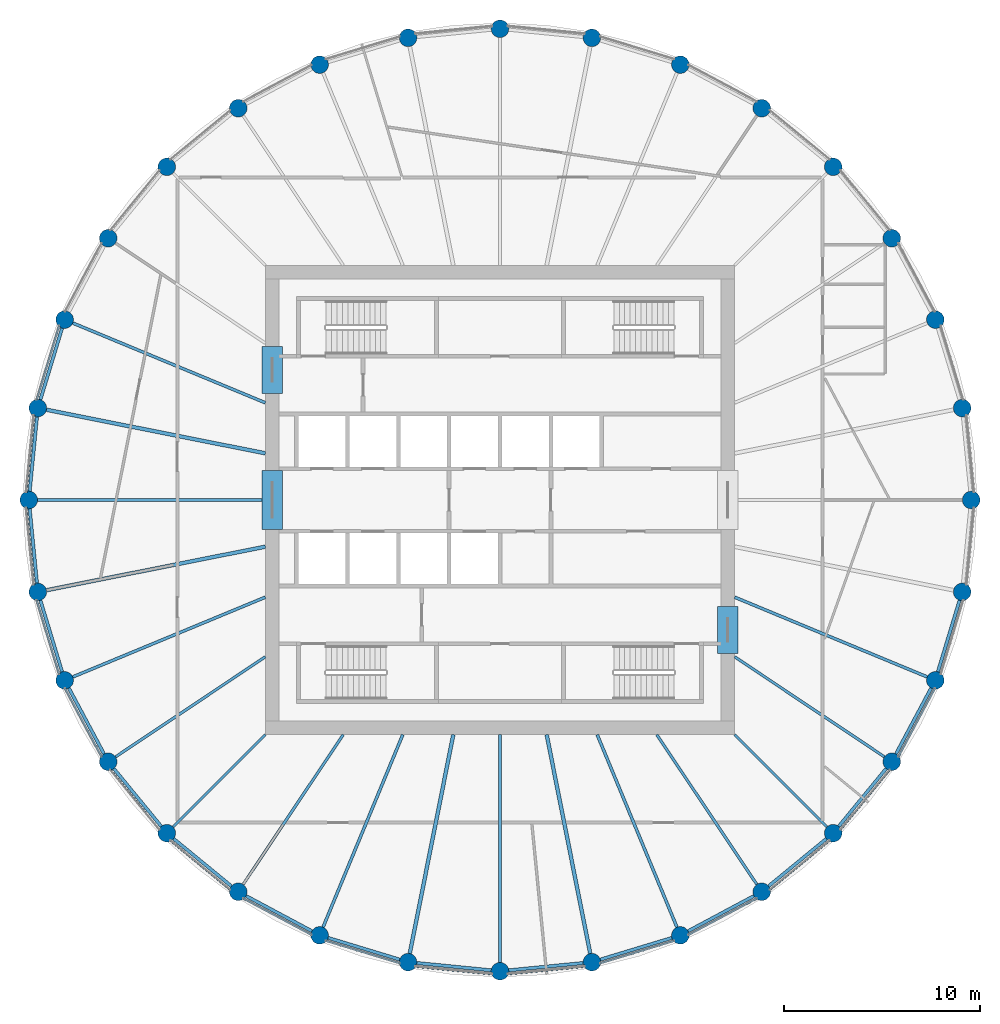
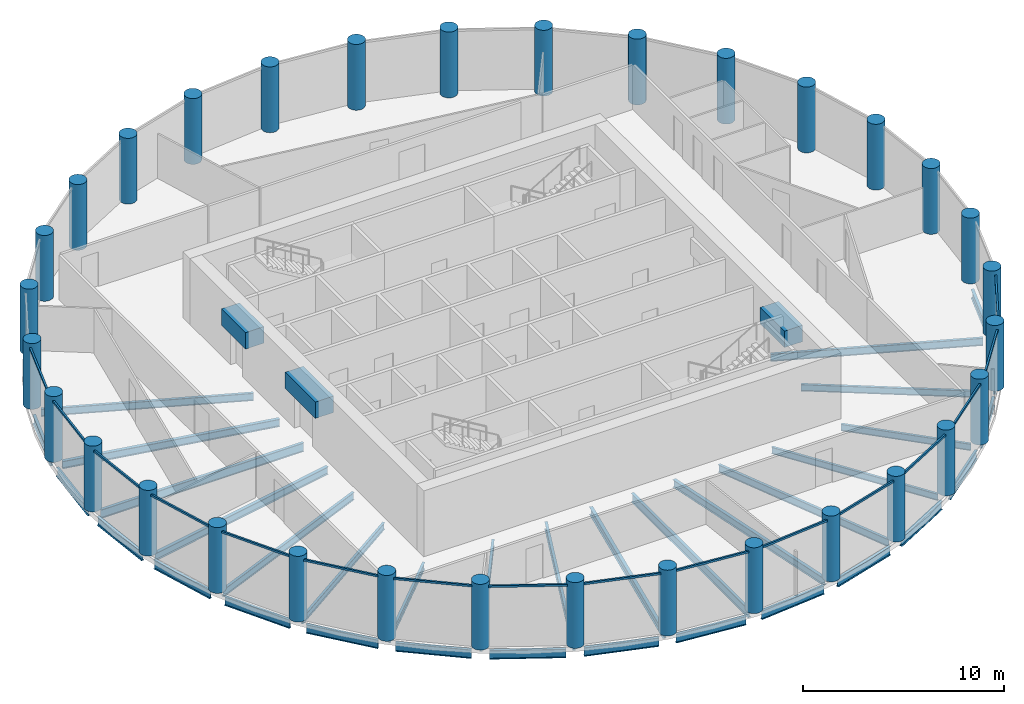
# One storey, part 1 of 7: 37 beams, 32 columns, 16 members, 16 elements without a shape of their own.
"""IFC4 building model written with IfcOpenShell, lengths in metres."""

from ifc_helpers import new_model, si_unit, direction, frame, origin, origin_2d, place, context, subcontext, project, spatial, rectangle, circle, i_section, extrude, material, material_profile, profile_set, type_object, element, aggregate, save


model = new_model("IFC4")

# Units and contexts
model_context = context("Model", 3, precision=1e-05, world=origin(), true_north=direction((0.0, 1.0)))
body_context = subcontext(model_context, "Body", "Model", "MODEL_VIEW")
ifc_project = project(units=[si_unit("LENGTHUNIT", "METRE"), si_unit("AREAUNIT", "SQUARE_METRE"), si_unit("VOLUMEUNIT", "CUBIC_METRE"), si_unit("PLANEANGLEUNIT", "RADIAN"), si_unit("MASSUNIT", "GRAM", prefix="KILO")], contexts=[model_context])

# Site, building, storey
site_placement = place(None, origin())
site = spatial("IfcSite", under=ifc_project, at=site_placement, CompositionType="ELEMENT")
building_placement = place(site_placement, origin())
building = spatial("IfcBuilding", under=site, at=building_placement, Name="Corvane Civic Tower", CompositionType="ELEMENT")
storey_placement = place(building_placement, frame((0.0, 0.0, 287.0)))
storey = spatial("IfcBuildingStorey", under=building, at=storey_placement, Name="L68", CompositionType="ELEMENT", Elevation=287.0)

# Columns
ifc_material_1 = material(Name="Concrete C60/75", Category="concrete")
ifc_material_profile_1 = material_profile(ifc_material_1, circle(Radius=0.449951171875, at=origin_2d()), Name="COLUMN 900")
ifc_profile_set_1 = profile_set([ifc_material_profile_1], Name="Concrete C60/75")
column_type = type_object("IfcColumnType", Name="RC COLUMN COLUMN 900", PredefinedType="COLUMN", material=ifc_profile_set_1)
for number, where, z_axis, x_axis, name in (
    (1, (0.0, 24.10009765625, 0.0), (0.0, 0.0, 1.0), (1.0, 0.0, 0.0), "COL-L68-E01"),
    (2, (4.70166015625, 23.636962890625, 0.0), (0.0, 0.0, 1.0), (1.0, 0.0, 0.0), "COL-L68-E02"),
    (3, (9.22265625, 22.265380859375, 0.0), (0.0, 0.0, 1.0), (1.0, 0.0, 0.0), "COL-L68-E03"),
    (4, (13.38916015625, 20.038330078125, 0.0), (0.0, 0.0, 1.0), (1.0, 0.0, 0.0), "COL-L68-E04"),
    (5, (17.041259765625, 17.041259765625, 0.0), (0.0, 0.0, 1.0), (1.0, 0.0, 0.0), "COL-L68-E05"),
    (6, (20.038330078125, 13.38916015625, 0.0), (0.0, 0.0, 1.0), (1.0, 0.0, 0.0), "COL-L68-E06"),
    (7, (22.265380859375, 9.22265625, 0.0), (0.0, 0.0, 1.0), (1.0, 0.0, 0.0), "COL-L68-E07"),
    (8, (23.636962890625, 4.70166015625, 0.0), (0.0, 0.0, 1.0), (1.0, 0.0, 0.0), "COL-L68-E08"),
    (9, (24.10009765625, 0.0, 0.0), (0.0, 0.0, 1.0), (1.0, 0.0, 0.0), "COL-L68-E09"),
    (10, (23.636962890625, -4.70166015625, 0.0), (0.0, 0.0, 1.0), (1.0, 0.0, 0.0), "COL-L68-E10"),
    (11, (22.265380859375, -9.22265625, 0.0), (0.0, 0.0, 1.0), (1.0, 0.0, 0.0), "COL-L68-E11"),
    (12, (20.038330078125, -13.38916015625, 0.0), (0.0, 0.0, 1.0), (1.0, 0.0, 0.0), "COL-L68-E12"),
    (13, (17.041259765625, -17.041259765625, 0.0), (0.0, 0.0, 1.0), (1.0, 0.0, 0.0), "COL-L68-E13"),
    (14, (13.38916015625, -20.038330078125, 0.0), (0.0, 0.0, 1.0), (1.0, 0.0, 0.0), "COL-L68-E14"),
    (15, (9.22265625, -22.265380859375, 0.0), (0.0, 0.0, 1.0), (1.0, 0.0, 0.0), "COL-L68-E15"),
    (16, (4.70166015625, -23.636962890625, 0.0), (0.0, 0.0, 1.0), (1.0, 0.0, 0.0), "COL-L68-E16"),
    (17, (0.0, -24.10009765625, 0.0), (0.0, 0.0, 1.0), (1.0, 0.0, 0.0), "COL-L68-E17"),
    (18, (-4.70166015625, -23.636962890625, 0.0), (0.0, 0.0, 1.0), (1.0, 0.0, 0.0), "COL-L68-E18"),
    (19, (-9.22265625, -22.265380859375, 0.0), (0.0, 0.0, 1.0), (1.0, 0.0, 0.0), "COL-L68-E19"),
    (20, (-13.38916015625, -20.038330078125, 0.0), (0.0, 0.0, 1.0), (1.0, 0.0, 0.0), "COL-L68-E20"),
    (21, (-17.041259765625, -17.041259765625, 0.0), (0.0, 0.0, 1.0), (1.0, 0.0, 0.0), "COL-L68-E21"),
    (22, (-20.038330078125, -13.38916015625, 0.0), (0.0, 0.0, 1.0), (1.0, 0.0, 0.0), "COL-L68-E22"),
    (23, (-22.265380859375, -9.22265625, 0.0), (0.0, 0.0, 1.0), (1.0, 0.0, 0.0), "COL-L68-E23"),
    (24, (-23.636962890625, -4.70166015625, 0.0), (0.0, 0.0, 1.0), (1.0, 0.0, 0.0), "COL-L68-E24"),
    (25, (-24.10009765625, 0.0, 0.0), (0.0, 0.0, 1.0), (1.0, 0.0, 0.0), "COL-L68-E25"),
    (26, (-23.636962890625, 4.70166015625, 0.0), (0.0, 0.0, 1.0), (1.0, 0.0, 0.0), "COL-L68-E26"),
    (27, (-22.265380859375, 9.22265625, 0.0), (0.0, 0.0, 1.0), (1.0, 0.0, 0.0), "COL-L68-E27"),
    (28, (-20.038330078125, 13.38916015625, 0.0), (0.0, 0.0, 1.0), (1.0, 0.0, 0.0), "COL-L68-E28"),
    (29, (-17.041259765625, 17.041259765625, 0.0), (0.0, 0.0, 1.0), (1.0, 0.0, 0.0), "COL-L68-E29"),
    (30, (-13.38916015625, 20.038330078125, 0.0), (0.0, 0.0, 1.0), (1.0, 0.0, 0.0), "COL-L68-E30"),
    (31, (-9.22265625, 22.265380859375, 0.0), (0.0, 0.0, 1.0), (1.0, 0.0, 0.0), "COL-L68-E31"),
    (32, (-4.70166015625, 23.636962890625, 0.0), (0.0, 0.0, 1.0), (1.0, 0.0, 0.0), "COL-L68-E32"),
):
    element("IfcColumn", number, at=place(storey_placement, frame(where, z_axis=z_axis, x_axis=x_axis)), inside=storey, type_object=column_type, Name=name, PredefinedType="COLUMN", context=body_context, shape_type="SweptSolid", body=[
        extrude(circle(Radius=0.449951171875, at=origin_2d()), origin(), (0.0, 0.0, 1.0), 4.0),
    ])

# Beams
ifc_material_2 = material(Name="Concrete C40/50", Category="concrete")
ifc_material_profile_2 = material_profile(ifc_material_2, rectangle(XDim=1.050048828125, YDim=1.0, at=origin_2d()), Name="COUPLING BEAM 1050X1000")
ifc_profile_set_2 = profile_set([ifc_material_profile_2], Name="Concrete C40/50")
beam_type_1 = type_object("IfcBeamType", Name="COUPLING BEAM COUPLING BEAM 1050X1000", PredefinedType="BEAM", material=ifc_profile_set_2)
beam_1_placement = place(storey_placement, frame((-11.64990234375, -1.5, 2.60009765625), z_axis=(0.0, 1.0, 0.0), x_axis=(-1.0, 0.0, 0.0)))
element("IfcBeam", 33, at=beam_1_placement, inside=storey, type_object=beam_type_1, Name="BM-L68-cpl-CW-LW", PredefinedType="BEAM", context=body_context, shape_type="SweptSolid", body=[
    extrude(rectangle(XDim=1.050048828125, YDim=1.0, at=origin_2d()), origin(), (0.0, 0.0, 1.0), 3.0),
])
for number, where, z_axis, x_axis, name in (
    (34, (-11.64990234375, 5.449951171875, 2.60009765625), (0.0, 1.0, 0.0), (-1.0, 0.0, 0.0), "BM-L68-cpl-CW-WN"),
    (35, (11.64990234375, -7.85009765625, 2.60009765625), (0.0, 1.0, 0.0), (-1.0, 0.0, 0.0), "BM-L68-cpl-CW-ES"),
):
    element("IfcBeam", number, at=place(storey_placement, frame(where, z_axis=z_axis, x_axis=x_axis)), inside=storey, type_object=beam_type_1, Name=name, PredefinedType="BEAM", context=body_context, shape_type="SweptSolid", body=[
        extrude(rectangle(XDim=1.050048828125, YDim=1.0, at=origin_2d()), origin(), (0.0, 0.0, 1.0), 2.400146484375),
    ])
ifc_material_3 = material(Name="Steel ASTM A992 Gr 50", Category="steel")
ifc_material_profile_3 = material_profile(ifc_material_3, i_section(OverallWidth=0.165771484375, OverallDepth=0.5283203125, WebThickness=0.009765625, FlangeThickness=0.013671875, at=origin_2d()), Name="W21X50")
ifc_profile_set_3 = profile_set([ifc_material_profile_3], Name="Steel ASTM A992 Gr 50")
beam_type_2 = type_object("IfcBeamType", Name="EDGE BEAM W21X50", PredefinedType="BEAM", material=ifc_profile_set_3)
beam_2_placement = place(storey_placement, frame((23.50634765625, -5.13232421875, -0.564208984375), z_axis=(-0.290333385085, -0.95692555902, 0.0), x_axis=(0.95692555902, -0.290333385085, 0.0)))
element("IfcBeam", 36, at=beam_2_placement, inside=storey, type_object=beam_type_2, Name="BM-L68-E10", PredefinedType="BEAM", context=body_context, shape_type="SweptSolid", body=[
    extrude(i_section(OverallWidth=0.165771484375, OverallDepth=0.5283203125, WebThickness=0.009765625, FlangeThickness=0.013671875, at=origin_2d()), origin(), (0.0, 0.0, 1.0), 3.824462890625),
])
beam_3_placement = place(storey_placement, frame((22.05322265625, -9.61962890625, -0.564208984375), z_axis=(-0.471409804487, -0.881914279413, 0.0), x_axis=(0.881914279413, -0.471409804487, 0.0)))
element("IfcBeam", 37, at=beam_3_placement, inside=storey, type_object=beam_type_2, Name="BM-L68-E11", PredefinedType="BEAM", context=body_context, shape_type="SweptSolid", body=[
    extrude(i_section(OverallWidth=0.165771484375, OverallDepth=0.5283203125, WebThickness=0.009765625, FlangeThickness=0.013671875, at=origin_2d()), origin(), (0.0, 0.0, 1.0), 3.82421875),
])
for number, where, z_axis, x_axis, name in (
    (38, (19.7529296875, -13.737060546875, -0.564208984375), (-0.634408562057, -0.772997914867, 0.0), (0.772997914867, -0.634408562057, 0.0), "BM-L68-E12"),
    (39, (16.693359375, -17.32666015625, -0.564208984375), (-0.772997914867, -0.634408562057, 0.0), (0.634408562057, -0.772997914867, 0.0), "BM-L68-E13"),
):
    element("IfcBeam", number, at=place(storey_placement, frame(where, z_axis=z_axis, x_axis=x_axis)), inside=storey, type_object=beam_type_2, Name=name, PredefinedType="BEAM", context=body_context, shape_type="SweptSolid", body=[
        extrude(i_section(OverallWidth=0.165771484375, OverallDepth=0.5283203125, WebThickness=0.009765625, FlangeThickness=0.013671875, at=origin_2d()), origin(), (0.0, 0.0, 1.0), 3.824462890625),
    ])
beam_4_placement = place(storey_placement, frame((12.9921875, -20.25048828125, -0.564208984375), z_axis=(-0.881914279413, -0.471409804487, 0.0), x_axis=(0.471409804487, -0.881914279413, 0.0)))
element("IfcBeam", 40, at=beam_4_placement, inside=storey, type_object=beam_type_2, Name="BM-L68-E14", PredefinedType="BEAM", context=body_context, shape_type="SweptSolid", body=[
    extrude(i_section(OverallWidth=0.165771484375, OverallDepth=0.5283203125, WebThickness=0.009765625, FlangeThickness=0.013671875, at=origin_2d()), origin(), (0.0, 0.0, 1.0), 3.82421875),
])
for number, where, z_axis, x_axis, name in (
    (41, (8.7919921875, -22.39599609375, -0.564208984375), (-0.95692555902, -0.290333385085, 0.0), (0.290333385085, -0.95692555902, 0.0), "BM-L68-E15"),
    (42, (4.25390625, -23.68115234375, -0.564208984375), (-0.995187721162, -0.097986732007, 0.0), (0.097986732007, -0.995187721162, 0.0), "BM-L68-E16"),
    (43, (-0.44775390625, -24.055908203125, -0.564208984375), (-0.995187721162, 0.097986732007, 0.0), (-0.097986732007, -0.995187721162, 0.0), "BM-L68-E17"),
    (44, (-5.13232421875, -23.50634765625, -0.564208984375), (-0.95692555902, 0.290333385085, 0.0), (-0.290333385085, -0.95692555902, 0.0), "BM-L68-E18"),
):
    element("IfcBeam", number, at=place(storey_placement, frame(where, z_axis=z_axis, x_axis=x_axis)), inside=storey, type_object=beam_type_2, Name=name, PredefinedType="BEAM", context=body_context, shape_type="SweptSolid", body=[
        extrude(i_section(OverallWidth=0.165771484375, OverallDepth=0.5283203125, WebThickness=0.009765625, FlangeThickness=0.013671875, at=origin_2d()), origin(), (0.0, 0.0, 1.0), 3.824462890625),
    ])
beam_5_placement = place(storey_placement, frame((-9.61962890625, -22.05322265625, -0.564208984375), z_axis=(-0.881914279413, 0.471409804487, 0.0), x_axis=(-0.471409804487, -0.881914279413, 0.0)))
element("IfcBeam", 45, at=beam_5_placement, inside=storey, type_object=beam_type_2, Name="BM-L68-E19", PredefinedType="BEAM", context=body_context, shape_type="SweptSolid", body=[
    extrude(i_section(OverallWidth=0.165771484375, OverallDepth=0.5283203125, WebThickness=0.009765625, FlangeThickness=0.013671875, at=origin_2d()), origin(), (0.0, 0.0, 1.0), 3.82421875),
])
for number, where, z_axis, x_axis, name in (
    (46, (-13.737060546875, -19.7529296875, -0.564208984375), (-0.772997914867, 0.634408562057, 0.0), (-0.634408562057, -0.772997914867, 0.0), "BM-L68-E20"),
    (47, (-17.32666015625, -16.693359375, -0.564208984375), (-0.634408562057, 0.772997914867, 0.0), (-0.772997914867, -0.634408562057, 0.0), "BM-L68-E21"),
):
    element("IfcBeam", number, at=place(storey_placement, frame(where, z_axis=z_axis, x_axis=x_axis)), inside=storey, type_object=beam_type_2, Name=name, PredefinedType="BEAM", context=body_context, shape_type="SweptSolid", body=[
        extrude(i_section(OverallWidth=0.165771484375, OverallDepth=0.5283203125, WebThickness=0.009765625, FlangeThickness=0.013671875, at=origin_2d()), origin(), (0.0, 0.0, 1.0), 3.824462890625),
    ])
beam_6_placement = place(storey_placement, frame((-20.25048828125, -12.9921875, -0.564208984375), z_axis=(-0.471409804487, 0.881914279413, 0.0), x_axis=(-0.881914279413, -0.471409804487, 0.0)))
element("IfcBeam", 48, at=beam_6_placement, inside=storey, type_object=beam_type_2, Name="BM-L68-E22", PredefinedType="BEAM", context=body_context, shape_type="SweptSolid", body=[
    extrude(i_section(OverallWidth=0.165771484375, OverallDepth=0.5283203125, WebThickness=0.009765625, FlangeThickness=0.013671875, at=origin_2d()), origin(), (0.0, 0.0, 1.0), 3.82421875),
])
for number, where, z_axis, x_axis, name in (
    (49, (-22.39599609375, -8.7919921875, -0.564208984375), (-0.290333385085, 0.95692555902, 0.0), (-0.95692555902, -0.290333385085, 0.0), "BM-L68-E23"),
    (50, (-23.68115234375, -4.25390625, -0.564208984375), (-0.097986732007, 0.995187721162, 0.0), (-0.995187721162, -0.097986732007, 0.0), "BM-L68-E24"),
    (51, (-24.055908203125, 0.44775390625, -0.564208984375), (0.097986732007, 0.995187721162, 0.0), (-0.995187721162, 0.097986732007, 0.0), "BM-L68-E25"),
    (52, (-23.50634765625, 5.13232421875, -0.564208984375), (0.290333385085, 0.95692555902, 0.0), (-0.95692555902, 0.290333385085, 0.0), "BM-L68-E26"),
):
    element("IfcBeam", number, at=place(storey_placement, frame(where, z_axis=z_axis, x_axis=x_axis)), inside=storey, type_object=beam_type_2, Name=name, PredefinedType="BEAM", context=body_context, shape_type="SweptSolid", body=[
        extrude(i_section(OverallWidth=0.165771484375, OverallDepth=0.5283203125, WebThickness=0.009765625, FlangeThickness=0.013671875, at=origin_2d()), origin(), (0.0, 0.0, 1.0), 3.824462890625),
    ])
ifc_material_4 = material(Name="Steel ASTM A992 Gr 50", Category="steel")
ifc_material_profile_4 = material_profile(ifc_material_4, i_section(OverallWidth=0.140380859375, OverallDepth=0.40380859375, WebThickness=0.007080078125, FlangeThickness=0.01123046875, at=origin_2d()), Name="W16X31")
ifc_profile_set_4 = profile_set([ifc_material_profile_4], Name="Steel ASTM A992 Gr 50")
beam_type_3 = type_object("IfcBeamType", Name="FLOOR GIRDER W16X31", PredefinedType="BEAM", material=ifc_profile_set_4)
beam_7_placement = place(storey_placement, frame((12.0, -8.01806640625, -0.501953125), z_axis=(0.831471227061, -0.555567816355, 0.0), x_axis=(0.555567816355, 0.831471227061, 0.0)))
element("IfcBeam", 53, at=beam_7_placement, inside=storey, type_object=beam_type_3, Name="BM-L68-G12", PredefinedType="BEAM", context=body_context, shape_type="SweptSolid", body=[
    extrude(i_section(OverallWidth=0.140380859375, OverallDepth=0.40380859375, WebThickness=0.007080078125, FlangeThickness=0.01123046875, at=origin_2d()), origin(), (0.0, 0.0, 1.0), 9.2177734375),
])
beam_8_placement = place(storey_placement, frame((12.0, -12.0, -0.501953125), z_axis=(0.707106781187, -0.707106781187, 0.0), x_axis=(0.707106781187, 0.707106781187, 0.0)))
element("IfcBeam", 54, at=beam_8_placement, inside=storey, type_object=beam_type_3, Name="BM-L68-G13", PredefinedType="BEAM", context=body_context, shape_type="SweptSolid", body=[
    extrude(i_section(OverallWidth=0.140380859375, OverallDepth=0.40380859375, WebThickness=0.007080078125, FlangeThickness=0.01123046875, at=origin_2d()), origin(), (0.0, 0.0, 1.0), 6.679443359375),
])
for number, where, z_axis, x_axis, name in (
    (55, (8.01806640625, -12.0, -0.501953125), (0.555567816355, -0.831471227061, 0.0), (0.831471227061, 0.555567816355, 0.0), "BM-L68-G14"),
    (56, (-8.01806640625, -12.0, -0.501953125), (-0.555567816355, -0.831471227061, 0.0), (0.831471227061, -0.555567816355, 0.0), "BM-L68-G20"),
):
    element("IfcBeam", number, at=place(storey_placement, frame(where, z_axis=z_axis, x_axis=x_axis)), inside=storey, type_object=beam_type_3, Name=name, PredefinedType="BEAM", context=body_context, shape_type="SweptSolid", body=[
        extrude(i_section(OverallWidth=0.140380859375, OverallDepth=0.40380859375, WebThickness=0.007080078125, FlangeThickness=0.01123046875, at=origin_2d()), origin(), (0.0, 0.0, 1.0), 9.2177734375),
    ])
beam_9_placement = place(storey_placement, frame((-12.0, -12.0, -0.501953125), z_axis=(-0.707106781187, -0.707106781187, 0.0), x_axis=(0.707106781187, -0.707106781187, 0.0)))
element("IfcBeam", 57, at=beam_9_placement, inside=storey, type_object=beam_type_3, Name="BM-L68-G21", PredefinedType="BEAM", context=body_context, shape_type="SweptSolid", body=[
    extrude(i_section(OverallWidth=0.140380859375, OverallDepth=0.40380859375, WebThickness=0.007080078125, FlangeThickness=0.01123046875, at=origin_2d()), origin(), (0.0, 0.0, 1.0), 6.679443359375),
])
beam_10_placement = place(storey_placement, frame((-12.0, -8.01806640625, -0.501953125), z_axis=(-0.831471227061, -0.555567816355, 0.0), x_axis=(0.555567816355, -0.831471227061, 0.0)))
element("IfcBeam", 58, at=beam_10_placement, inside=storey, type_object=beam_type_3, Name="BM-L68-G22", PredefinedType="BEAM", context=body_context, shape_type="SweptSolid", body=[
    extrude(i_section(OverallWidth=0.140380859375, OverallDepth=0.40380859375, WebThickness=0.007080078125, FlangeThickness=0.01123046875, at=origin_2d()), origin(), (0.0, 0.0, 1.0), 9.2177734375),
])
ifc_material_5 = material(Name="Steel ASTM A992 Gr 50", Category="steel")
ifc_material_profile_5 = material_profile(ifc_material_5, i_section(OverallWidth=0.15283203125, OverallDepth=0.45458984375, WebThickness=0.008056640625, FlangeThickness=0.013427734375, at=origin_2d()), Name="W18X40")
ifc_profile_set_5 = profile_set([ifc_material_profile_5], Name="Steel ASTM A992 Gr 50")
beam_type_4 = type_object("IfcBeamType", Name="FLOOR GIRDER W18X40", PredefinedType="BEAM", material=ifc_profile_set_5)
for number, where, z_axis, x_axis, name in (
    (59, (12.0, -4.970458984375, -0.52734375), (0.923875048589, -0.382694257331, 0.0), (0.382694257331, 0.923875048589, 0.0), "BM-L68-G11"),
    (60, (4.970458984375, -12.0, -0.52734375), (0.382694257331, -0.923875048589, 0.0), (0.923875048589, 0.382694257331, 0.0), "BM-L68-G15"),
    (61, (-4.970458984375, -12.0, -0.52734375), (-0.382694257331, -0.923875048589, 0.0), (0.923875048589, -0.382694257331, 0.0), "BM-L68-G19"),
    (62, (-12.0, -4.970458984375, -0.52734375), (-0.923875048589, -0.382694257331, 0.0), (0.382694257331, -0.923875048589, 0.0), "BM-L68-G23"),
    (63, (-12.0, 4.970458984375, -0.52734375), (-0.923875048589, 0.382694257331, 0.0), (-0.382694257331, -0.923875048589, 0.0), "BM-L68-G27"),
):
    element("IfcBeam", number, at=place(storey_placement, frame(where, z_axis=z_axis, x_axis=x_axis)), inside=storey, type_object=beam_type_4, Name=name, PredefinedType="BEAM", context=body_context, shape_type="SweptSolid", body=[
        extrude(i_section(OverallWidth=0.15283203125, OverallDepth=0.45458984375, WebThickness=0.008056640625, FlangeThickness=0.013427734375, at=origin_2d()), origin(), (0.0, 0.0, 1.0), 10.661376953125),
    ])
ifc_material_6 = material(Name="Steel ASTM A992 Gr 50", Category="steel")
ifc_material_profile_6 = material_profile(ifc_material_6, i_section(OverallWidth=0.1904296875, OverallDepth=0.457275390625, WebThickness=0.009033203125, FlangeThickness=0.014404296875, at=origin_2d()), Name="W18X50")
ifc_profile_set_6 = profile_set([ifc_material_profile_6], Name="Steel ASTM A992 Gr 50")
beam_type_5 = type_object("IfcBeamType", Name="FLOOR GIRDER W18X50", PredefinedType="BEAM", material=ifc_profile_set_6)
for number, where, z_axis, x_axis, name in (
    (64, (2.386962890625, -12.0, -0.528564453125), (0.195079532402, -0.980787426529, 0.0), (0.980787426529, 0.195079532402, 0.0), "BM-L68-G16"),
    (65, (-2.386962890625, -12.0, -0.528564453125), (-0.195079532402, -0.980787426529, 0.0), (0.980787426529, -0.195079532402, 0.0), "BM-L68-G18"),
    (66, (-12.0, -2.386962890625, -0.528564453125), (-0.980787426529, -0.195079532402, 0.0), (0.195079532402, -0.980787426529, 0.0), "BM-L68-G24"),
    (67, (-12.0, 2.386962890625, -0.528564453125), (-0.980787426529, 0.195079532402, 0.0), (-0.195079532402, -0.980787426529, 0.0), "BM-L68-G26"),
):
    element("IfcBeam", number, at=place(storey_placement, frame(where, z_axis=z_axis, x_axis=x_axis)), inside=storey, type_object=beam_type_5, Name=name, PredefinedType="BEAM", context=body_context, shape_type="SweptSolid", body=[
        extrude(i_section(OverallWidth=0.1904296875, OverallDepth=0.457275390625, WebThickness=0.009033203125, FlangeThickness=0.014404296875, at=origin_2d()), origin(), (0.0, 0.0, 1.0), 11.414794921875),
    ])
ifc_material_7 = material(Name="Steel ASTM A992 Gr 50", Category="steel")
ifc_material_profile_7 = material_profile(ifc_material_7, i_section(OverallWidth=0.165771484375, OverallDepth=0.5283203125, WebThickness=0.009765625, FlangeThickness=0.013671875, at=origin_2d()), Name="W21X50")
ifc_profile_set_7 = profile_set([ifc_material_profile_7], Name="Steel ASTM A992 Gr 50")
beam_type_6 = type_object("IfcBeamType", Name="FLOOR GIRDER W21X50", PredefinedType="BEAM", material=ifc_profile_set_7)
for number, where, z_axis, x_axis, name in (
    (68, (0.0, -12.0, -0.564208984375), (0.0, -1.0, 0.0), (1.0, 0.0, 0.0), "BM-L68-G17"),
    (69, (-12.0, 0.0, -0.564208984375), (-1.0, 0.0, 0.0), (0.0, -1.0, 0.0), "BM-L68-G25"),
):
    element("IfcBeam", number, at=place(storey_placement, frame(where, z_axis=z_axis, x_axis=x_axis)), inside=storey, type_object=beam_type_6, Name=name, PredefinedType="BEAM", context=body_context, shape_type="SweptSolid", body=[
        extrude(i_section(OverallWidth=0.165771484375, OverallDepth=0.5283203125, WebThickness=0.009765625, FlangeThickness=0.013671875, at=origin_2d()), origin(), (0.0, 0.0, 1.0), 11.64990234375),
    ])

# Curtain wall, member
ifc_material_8 = material(Name="Anodised aluminium bronze", Category="aluminium")
curtain_wall_type = type_object("IfcCurtainWallType", Name="TOWER CW-T3 STICK CURTAIN WALL", PredefinedType="NOTDEFINED", material=ifc_material_8)
curtain_wall_1_placement = place(storey_placement, origin())
curtain_wall_1 = element("IfcCurtainWall", 70, at=curtain_wall_1_placement, inside=storey, type_object=curtain_wall_type, Name="Curtain wall CW-T3 L68 bay 11", PredefinedType="NOTDEFINED")
ifc_material_9 = material(Name="Anodised aluminium bronze", Category="aluminium")
ifc_material_profile_8 = material_profile(ifc_material_9, rectangle(XDim=0.10009765625, YDim=0.1201171875, at=origin_2d()), Name="TOWER CW-T3 TRANSOM 100x120")
ifc_profile_set_8 = profile_set([ifc_material_profile_8], Name="Anodised aluminium bronze")
member_type = type_object("IfcMemberType", Name="TOWER CW-T3 TRANSOM 100x120", PredefinedType="USERDEFINED", material=ifc_profile_set_8)
member_1_placement = place(storey_placement, frame((22.2431640625, -9.644775390625, 3.68994140625), z_axis=(-0.471468241052, -0.881883040816, 0.0), x_axis=(0.881883040816, -0.471468241052, 0.0)))
member_1 = element("IfcMember", 71, at=member_1_placement, type_object=member_type, Name="Transom CW-T3 L68 11.1", ObjectType="TRANSOM", PredefinedType="USERDEFINED", context=body_context, shape_type="SweptSolid", body=[
    extrude(rectangle(XDim=0.10009765625, YDim=0.1201171875, at=origin_2d()), origin(), (0.0, 0.0, 1.0), 3.958740234375),
])
aggregate(curtain_wall_1, [member_1])

curtain_wall_2_placement = place(storey_placement, origin())
curtain_wall_2 = element("IfcCurtainWall", 72, at=curtain_wall_2_placement, inside=storey, type_object=curtain_wall_type, Name="Curtain wall CW-T3 L68 bay 12", PredefinedType="NOTDEFINED")
member_2_placement = place(storey_placement, frame((19.93408203125, -13.798828125, 3.68994140625), z_axis=(-0.634415838373, -0.772991943051, 0.0), x_axis=(0.772991943051, -0.634415838373, 0.0)))
member_2 = element("IfcMember", 73, at=member_2_placement, type_object=member_type, Name="Transom CW-T3 L68 12.1", ObjectType="TRANSOM", PredefinedType="USERDEFINED", context=body_context, shape_type="SweptSolid", body=[
    extrude(rectangle(XDim=0.10009765625, YDim=0.1201171875, at=origin_2d()), origin(), (0.0, 0.0, 1.0), 3.958740234375),
])
aggregate(curtain_wall_2, [member_2])

curtain_wall_3_placement = place(storey_placement, origin())
curtain_wall_3 = element("IfcCurtainWall", 74, at=curtain_wall_3_placement, inside=storey, type_object=curtain_wall_type, Name="Curtain wall CW-T3 L68 bay 13", PredefinedType="NOTDEFINED")
member_3_placement = place(storey_placement, frame((16.85888671875, -17.422607421875, 3.68994140625), z_axis=(-0.772991943051, -0.634415838373, 0.0), x_axis=(0.634415838373, -0.772991943051, 0.0)))
member_3 = element("IfcMember", 75, at=member_3_placement, type_object=member_type, Name="Transom CW-T3 L68 13.1", ObjectType="TRANSOM", PredefinedType="USERDEFINED", context=body_context, shape_type="SweptSolid", body=[
    extrude(rectangle(XDim=0.10009765625, YDim=0.1201171875, at=origin_2d()), origin(), (0.0, 0.0, 1.0), 3.958740234375),
])
aggregate(curtain_wall_3, [member_3])

curtain_wall_4_placement = place(storey_placement, origin())
curtain_wall_4 = element("IfcCurtainWall", 76, at=curtain_wall_4_placement, inside=storey, type_object=curtain_wall_type, Name="Curtain wall CW-T3 L68 bay 14", PredefinedType="NOTDEFINED")
member_4_placement = place(storey_placement, frame((13.135986328125, -20.376708984375, 3.68994140625), z_axis=(-0.881883040816, -0.471468241052, 0.0), x_axis=(0.471468241052, -0.881883040816, 0.0)))
member_4 = element("IfcMember", 77, at=member_4_placement, type_object=member_type, Name="Transom CW-T3 L68 14.1", ObjectType="TRANSOM", PredefinedType="USERDEFINED", context=body_context, shape_type="SweptSolid", body=[
    extrude(rectangle(XDim=0.10009765625, YDim=0.1201171875, at=origin_2d()), origin(), (0.0, 0.0, 1.0), 3.958740234375),
])
aggregate(curtain_wall_4, [member_4])

curtain_wall_5_placement = place(storey_placement, origin())
curtain_wall_5 = element("IfcCurtainWall", 78, at=curtain_wall_5_placement, inside=storey, type_object=curtain_wall_type, Name="Curtain wall CW-T3 L68 bay 15", PredefinedType="NOTDEFINED")
member_5_placement = place(storey_placement, frame((8.908447265625, -22.548095703125, 3.68994140625), z_axis=(-0.956946054205, -0.290265825309, 0.0), x_axis=(0.290265825309, -0.956946054205, 0.0)))
member_5 = element("IfcMember", 79, at=member_5_placement, type_object=member_type, Name="Transom CW-T3 L68 15.1", ObjectType="TRANSOM", PredefinedType="USERDEFINED", context=body_context, shape_type="SweptSolid", body=[
    extrude(rectangle(XDim=0.10009765625, YDim=0.1201171875, at=origin_2d()), origin(), (0.0, 0.0, 1.0), 3.958984375),
])
aggregate(curtain_wall_5, [member_5])

curtain_wall_6_placement = place(storey_placement, origin())
curtain_wall_6 = element("IfcCurtainWall", 80, at=curtain_wall_6_placement, inside=storey, type_object=curtain_wall_type, Name="Curtain wall CW-T3 L68 bay 16", PredefinedType="NOTDEFINED")
member_6_placement = place(storey_placement, frame((4.338134765625, -23.852783203125, 3.68994140625), z_axis=(-0.995186866683, -0.097995409999, 0.0), x_axis=(0.097995409999, -0.995186866683, 0.0)))
member_6 = element("IfcMember", 81, at=member_6_placement, type_object=member_type, Name="Transom CW-T3 L68 16.1", ObjectType="TRANSOM", PredefinedType="USERDEFINED", context=body_context, shape_type="SweptSolid", body=[
    extrude(rectangle(XDim=0.10009765625, YDim=0.1201171875, at=origin_2d()), origin(), (0.0, 0.0, 1.0), 3.958740234375),
])
aggregate(curtain_wall_6, [member_6])

curtain_wall_7_placement = place(storey_placement, origin())
curtain_wall_7 = element("IfcCurtainWall", 82, at=curtain_wall_7_placement, inside=storey, type_object=curtain_wall_type, Name="Curtain wall CW-T3 L68 bay 17", PredefinedType="NOTDEFINED")
member_7_placement = place(storey_placement, frame((-0.3984375, -24.24072265625, 3.68994140625), z_axis=(-0.995186866683, 0.097995409999, 0.0), x_axis=(-0.097995409999, -0.995186866683, 0.0)))
member_7 = element("IfcMember", 83, at=member_7_placement, type_object=member_type, Name="Transom CW-T3 L68 17.1", ObjectType="TRANSOM", PredefinedType="USERDEFINED", context=body_context, shape_type="SweptSolid", body=[
    extrude(rectangle(XDim=0.10009765625, YDim=0.1201171875, at=origin_2d()), origin(), (0.0, 0.0, 1.0), 3.958740234375),
])
aggregate(curtain_wall_7, [member_7])

curtain_wall_8_placement = place(storey_placement, origin())
curtain_wall_8 = element("IfcCurtainWall", 84, at=curtain_wall_8_placement, inside=storey, type_object=curtain_wall_type, Name="Curtain wall CW-T3 L68 bay 18", PredefinedType="NOTDEFINED")
member_8_placement = place(storey_placement, frame((-5.119873046875, -23.697265625, 3.68994140625), z_axis=(-0.956946054205, 0.290265825309, 0.0), x_axis=(-0.290265825309, -0.956946054205, 0.0)))
member_8 = element("IfcMember", 85, at=member_8_placement, type_object=member_type, Name="Transom CW-T3 L68 18.1", ObjectType="TRANSOM", PredefinedType="USERDEFINED", context=body_context, shape_type="SweptSolid", body=[
    extrude(rectangle(XDim=0.10009765625, YDim=0.1201171875, at=origin_2d()), origin(), (0.0, 0.0, 1.0), 3.958984375),
])
aggregate(curtain_wall_8, [member_8])

curtain_wall_9_placement = place(storey_placement, origin())
curtain_wall_9 = element("IfcCurtainWall", 86, at=curtain_wall_9_placement, inside=storey, type_object=curtain_wall_type, Name="Curtain wall CW-T3 L68 bay 19", PredefinedType="NOTDEFINED")
member_9_placement = place(storey_placement, frame((-9.644775390625, -22.2431640625, 3.68994140625), z_axis=(-0.881883040816, 0.471468241052, 0.0), x_axis=(-0.471468241052, -0.881883040816, 0.0)))
member_9 = element("IfcMember", 87, at=member_9_placement, type_object=member_type, Name="Transom CW-T3 L68 19.1", ObjectType="TRANSOM", PredefinedType="USERDEFINED", context=body_context, shape_type="SweptSolid", body=[
    extrude(rectangle(XDim=0.10009765625, YDim=0.1201171875, at=origin_2d()), origin(), (0.0, 0.0, 1.0), 3.958740234375),
])
aggregate(curtain_wall_9, [member_9])

curtain_wall_10_placement = place(storey_placement, origin())
curtain_wall_10 = element("IfcCurtainWall", 88, at=curtain_wall_10_placement, inside=storey, type_object=curtain_wall_type, Name="Curtain wall CW-T3 L68 bay 20", PredefinedType="NOTDEFINED")
member_10_placement = place(storey_placement, frame((-13.798828125, -19.93408203125, 3.68994140625), z_axis=(-0.772991943051, 0.634415838373, 0.0), x_axis=(-0.634415838373, -0.772991943051, 0.0)))
member_10 = element("IfcMember", 89, at=member_10_placement, type_object=member_type, Name="Transom CW-T3 L68 20.1", ObjectType="TRANSOM", PredefinedType="USERDEFINED", context=body_context, shape_type="SweptSolid", body=[
    extrude(rectangle(XDim=0.10009765625, YDim=0.1201171875, at=origin_2d()), origin(), (0.0, 0.0, 1.0), 3.958740234375),
])
aggregate(curtain_wall_10, [member_10])

curtain_wall_11_placement = place(storey_placement, origin())
curtain_wall_11 = element("IfcCurtainWall", 90, at=curtain_wall_11_placement, inside=storey, type_object=curtain_wall_type, Name="Curtain wall CW-T3 L68 bay 21", PredefinedType="NOTDEFINED")
member_11_placement = place(storey_placement, frame((-17.422607421875, -16.85888671875, 3.68994140625), z_axis=(-0.634415838373, 0.772991943051, 0.0), x_axis=(-0.772991943051, -0.634415838373, 0.0)))
member_11 = element("IfcMember", 91, at=member_11_placement, type_object=member_type, Name="Transom CW-T3 L68 21.1", ObjectType="TRANSOM", PredefinedType="USERDEFINED", context=body_context, shape_type="SweptSolid", body=[
    extrude(rectangle(XDim=0.10009765625, YDim=0.1201171875, at=origin_2d()), origin(), (0.0, 0.0, 1.0), 3.958740234375),
])
aggregate(curtain_wall_11, [member_11])

curtain_wall_12_placement = place(storey_placement, origin())
curtain_wall_12 = element("IfcCurtainWall", 92, at=curtain_wall_12_placement, inside=storey, type_object=curtain_wall_type, Name="Curtain wall CW-T3 L68 bay 22", PredefinedType="NOTDEFINED")
member_12_placement = place(storey_placement, frame((-20.376708984375, -13.135986328125, 3.68994140625), z_axis=(-0.471468241052, 0.881883040816, 0.0), x_axis=(-0.881883040816, -0.471468241052, 0.0)))
member_12 = element("IfcMember", 93, at=member_12_placement, type_object=member_type, Name="Transom CW-T3 L68 22.1", ObjectType="TRANSOM", PredefinedType="USERDEFINED", context=body_context, shape_type="SweptSolid", body=[
    extrude(rectangle(XDim=0.10009765625, YDim=0.1201171875, at=origin_2d()), origin(), (0.0, 0.0, 1.0), 3.958740234375),
])
aggregate(curtain_wall_12, [member_12])

curtain_wall_13_placement = place(storey_placement, origin())
curtain_wall_13 = element("IfcCurtainWall", 94, at=curtain_wall_13_placement, inside=storey, type_object=curtain_wall_type, Name="Curtain wall CW-T3 L68 bay 23", PredefinedType="NOTDEFINED")
member_13_placement = place(storey_placement, frame((-22.548095703125, -8.908447265625, 3.68994140625), z_axis=(-0.290265825309, 0.956946054205, 0.0), x_axis=(-0.956946054205, -0.290265825309, 0.0)))
member_13 = element("IfcMember", 95, at=member_13_placement, type_object=member_type, Name="Transom CW-T3 L68 23.1", ObjectType="TRANSOM", PredefinedType="USERDEFINED", context=body_context, shape_type="SweptSolid", body=[
    extrude(rectangle(XDim=0.10009765625, YDim=0.1201171875, at=origin_2d()), origin(), (0.0, 0.0, 1.0), 3.958984375),
])
aggregate(curtain_wall_13, [member_13])

curtain_wall_14_placement = place(storey_placement, origin())
curtain_wall_14 = element("IfcCurtainWall", 96, at=curtain_wall_14_placement, inside=storey, type_object=curtain_wall_type, Name="Curtain wall CW-T3 L68 bay 24", PredefinedType="NOTDEFINED")
member_14_placement = place(storey_placement, frame((-23.852783203125, -4.338134765625, 3.68994140625), z_axis=(-0.097995409999, 0.995186866683, 0.0), x_axis=(-0.995186866683, -0.097995409999, 0.0)))
member_14 = element("IfcMember", 97, at=member_14_placement, type_object=member_type, Name="Transom CW-T3 L68 24.1", ObjectType="TRANSOM", PredefinedType="USERDEFINED", context=body_context, shape_type="SweptSolid", body=[
    extrude(rectangle(XDim=0.10009765625, YDim=0.1201171875, at=origin_2d()), origin(), (0.0, 0.0, 1.0), 3.958740234375),
])
aggregate(curtain_wall_14, [member_14])

curtain_wall_15_placement = place(storey_placement, origin())
curtain_wall_15 = element("IfcCurtainWall", 98, at=curtain_wall_15_placement, inside=storey, type_object=curtain_wall_type, Name="Curtain wall CW-T3 L68 bay 25", PredefinedType="NOTDEFINED")
member_15_placement = place(storey_placement, frame((-24.24072265625, 0.3984375, 3.68994140625), z_axis=(0.097995409999, 0.995186866683, 0.0), x_axis=(-0.995186866683, 0.097995409999, 0.0)))
member_15 = element("IfcMember", 99, at=member_15_placement, type_object=member_type, Name="Transom CW-T3 L68 25.1", ObjectType="TRANSOM", PredefinedType="USERDEFINED", context=body_context, shape_type="SweptSolid", body=[
    extrude(rectangle(XDim=0.10009765625, YDim=0.1201171875, at=origin_2d()), origin(), (0.0, 0.0, 1.0), 3.958740234375),
])
aggregate(curtain_wall_15, [member_15])

curtain_wall_16_placement = place(storey_placement, origin())
curtain_wall_16 = element("IfcCurtainWall", 100, at=curtain_wall_16_placement, inside=storey, type_object=curtain_wall_type, Name="Curtain wall CW-T3 L68 bay 26", PredefinedType="NOTDEFINED")
member_16_placement = place(storey_placement, frame((-23.697265625, 5.119873046875, 3.68994140625), z_axis=(0.290265825309, 0.956946054205, 0.0), x_axis=(-0.956946054205, 0.290265825309, 0.0)))
member_16 = element("IfcMember", 101, at=member_16_placement, type_object=member_type, Name="Transom CW-T3 L68 26.1", ObjectType="TRANSOM", PredefinedType="USERDEFINED", context=body_context, shape_type="SweptSolid", body=[
    extrude(rectangle(XDim=0.10009765625, YDim=0.1201171875, at=origin_2d()), origin(), (0.0, 0.0, 1.0), 3.958984375),
])
aggregate(curtain_wall_16, [member_16])

save(model, "model.ifc")
